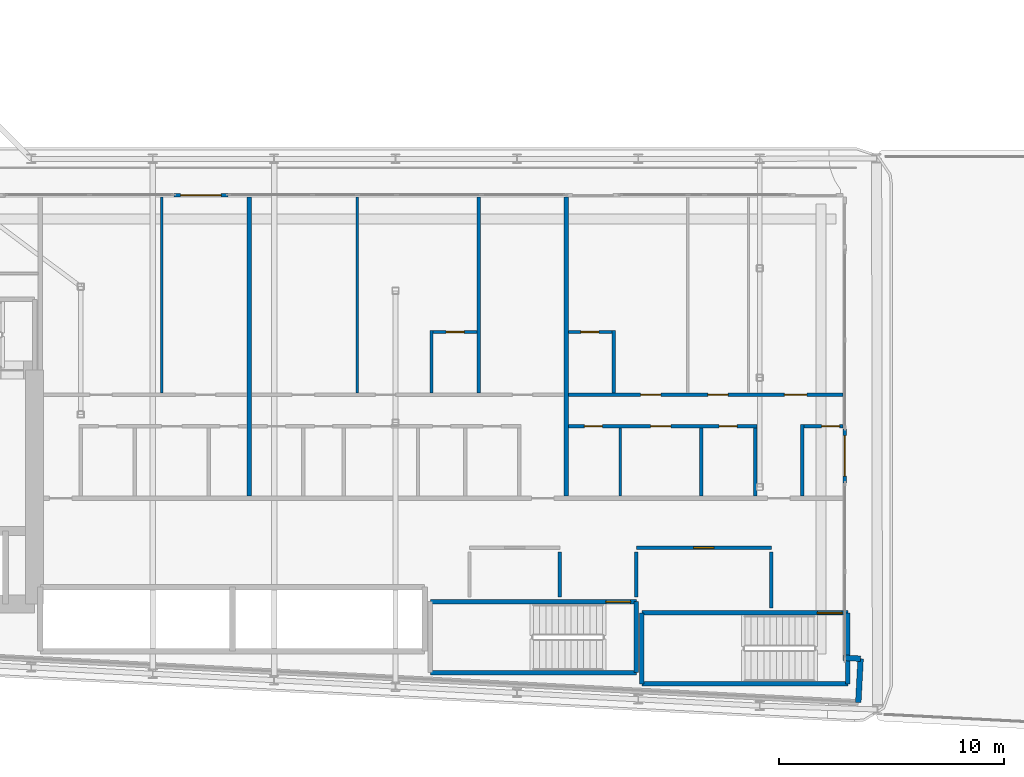
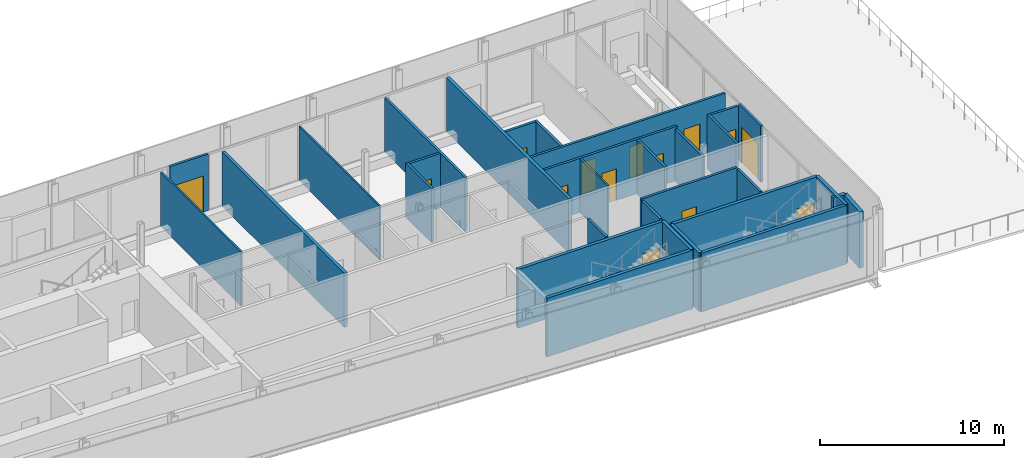
# One storey, part 15 of 27: 31 walls, 14 doors, 14 openings.
"""IFC4 building model written with IfcOpenShell, lengths in metres."""

from ifc_helpers import new_model, si_unit, direction, frame, frame_2d, origin, place, context, subcontext, project, spatial, rectangle, extrude, source, transform, mapped, material, layer, layer_set, type_object, element, fill, save


model = new_model("IFC4")

# Units and contexts
model_context = context("Model", 3, precision=1e-05, world=origin(), true_north=direction((0.0, 1.0)))
body_context = subcontext(model_context, "Body", "Model", "MODEL_VIEW")
ifc_project = project(units=[si_unit("LENGTHUNIT", "METRE"), si_unit("AREAUNIT", "SQUARE_METRE"), si_unit("VOLUMEUNIT", "CUBIC_METRE"), si_unit("PLANEANGLEUNIT", "RADIAN"), si_unit("MASSUNIT", "GRAM", prefix="KILO")], contexts=[model_context])

# Site, building, storey
site_placement = place(None, origin())
site = spatial("IfcSite", under=ifc_project, at=site_placement, CompositionType="ELEMENT")
building_placement = place(site_placement, origin())
building = spatial("IfcBuilding", under=site, at=building_placement, Name="Kheshtan School and Residences Tower", CompositionType="ELEMENT")
storey_placement = place(building_placement, frame((0.0, 0.0, 152.60009765625)))
storey = spatial("IfcBuildingStorey", under=building, at=storey_placement, Name="L35", CompositionType="ELEMENT", Elevation=152.60009765625)

# Walls
ifc_material_1 = material(Name="Concrete C40/50 with ceramic cladding and mineral wool insulation", Category="concrete")
ifc_layer_1 = layer(ifc_material_1, 0.25)
ifc_layer_set_1 = layer_set([ifc_layer_1], Name="External wall 250 ceramic clad")
wall_type_1 = type_object("IfcWallType", Name="External wall 250 ceramic clad", PredefinedType="SOLIDWALL", material=ifc_layer_set_1)
wall_1_placement = place(storey_placement, frame((89.10693359375, 23.407958984375, 0.0), z_axis=(0.0, 0.0, 1.0), x_axis=(0.998561284263, -0.053622398031, 0.0)))
element("IfcWall", 1, at=wall_1_placement, inside=storey, type_object=wall_type_1, Name="External wall L35 14", PredefinedType="SOLIDWALL", context=body_context, shape_type="SweptSolid", body=[
    extrude(rectangle(XDim=0.783203125, YDim=0.25, at=frame_2d((0.3916015625, 0.0))), origin(), (0.0, 0.0, 1.0), 3.75),
])
wall_2_placement = place(storey_placement, frame((89.888916015625, 23.365966796875, 0.0), z_axis=(0.0, 0.0, 1.0), x_axis=(-0.052841433274, -0.998602915542, 0.0)))
element("IfcWall", 2, at=wall_2_placement, inside=storey, type_object=wall_type_1, Name="External wall L35 15", PredefinedType="SOLIDWALL", context=body_context, shape_type="SweptSolid", body=[
    extrude(rectangle(XDim=1.94970703125, YDim=0.25, at=frame_2d((0.974853515625, 0.0))), origin(), (0.0, 0.0, 1.0), 3.75),
])

# Wall, opening, door
ifc_material_2 = material(Name="Aluminium frame wall with insulated infill", Category="aluminium")
ifc_layer_2 = layer(ifc_material_2, 0.14990234375)
ifc_layer_set_2 = layer_set([ifc_layer_2], Name="Glazing frame wall 150")
wall_type_2 = type_object("IfcWallType", Name="Glazing frame wall 150", PredefinedType="SOLIDWALL", material=ifc_layer_set_2)
wall_3_placement = place(storey_placement, frame((59.346923828125, 43.97509765625, 0.0), z_axis=(0.0, 0.0, 1.0), x_axis=(1.0, 0.0, 0.0)))
wall_3 = element("IfcWall", 3, at=wall_3_placement, inside=storey, type_object=wall_type_2, Name="Balcony door wall L35 12.2", PredefinedType="SOLIDWALL", context=body_context, shape_type="SweptSolid", body=[
    extrude(rectangle(XDim=2.401123046875, YDim=0.14990234375, at=frame_2d((1.20068359375, 0.0))), origin(), (0.0, 0.0, 1.0), 3.75),
])
opening_1_placement = place(wall_3_placement, frame((0.300048828125, 0.0, 0.0)))
opening_1 = element("IfcOpeningElement", 4, at=opening_1_placement, cuts=wall_3, Name="Opening BD", PredefinedType="OPENING", context=body_context, shape_type="SweptSolid", body=[
    extrude(rectangle(XDim=1.800048828125, YDim=2.39990234375, at=frame_2d((0.89990234375, 1.199951171875))), frame((0.0, 0.0849609375, 0.0), z_axis=(0.0, -1.0, 0.0), x_axis=(1.0, 0.0, 0.0)), (0.0, 0.0, 1.0), 0.169921875),
])
ifc_material_3 = material(Name="Clear low-e glass in thermally broken aluminium frame", Category="aluminium")
door_type_1 = type_object("IfcDoorType", Name="Balcony sliding door", OperationType="SLIDING_TO_LEFT", PredefinedType="DOOR", material=ifc_material_3)
shared_shape_1 = source(origin(), body_context, "Body", "SweptSolid", [
    extrude(rectangle(XDim=1.800048828125, YDim=2.39990234375, at=frame_2d((0.89990234375, 1.199951171875))), frame((0.0, 0.02490234375, 0.0), z_axis=(0.0, -1.0, 0.0), x_axis=(1.0, 0.0, 0.0)), (0.0, 0.0, 1.0), 0.050048828125),
])
door_1_placement = place(opening_1_placement, origin())
door_1 = element("IfcDoor", 5, at=door_1_placement, inside=storey, type_object=door_type_1, Name="Balcony door L35 12.2", OperationType="SLIDING_TO_LEFT", OverallHeight=2.39990234375, OverallWidth=1.800048828125, PredefinedType="DOOR", context=body_context, shape_type="MappedRepresentation", body=[
    mapped(shared_shape_1, transform((0.0, 0.0, 0.0), x_axis=(1.0, 0.0, 0.0), y_axis=(0.0, 1.0, 0.0), z_axis=(0.0, 0.0, 1.0), scale=1.0)),
])
fill(opening_1, door_1)

wall_4_placement = place(storey_placement, frame((89.175048828125, 33.591064453125, 0.0), z_axis=(0.0, 0.0, 1.0), x_axis=(0.0, -1.0, 0.0)))
wall_4 = element("IfcWall", 6, at=wall_4_placement, inside=storey, type_object=wall_type_2, Name="Balcony door wall L35 13.2", PredefinedType="SOLIDWALL", context=body_context, shape_type="SweptSolid", body=[
    extrude(rectangle(XDim=2.400146484375, YDim=0.14990234375, at=frame_2d((1.2001953125, 0.0))), origin(), (0.0, 0.0, 1.0), 3.75),
])
opening_2_placement = place(wall_4_placement, frame((0.300048828125, 0.0, 0.0)))
opening_2 = element("IfcOpeningElement", 7, at=opening_2_placement, cuts=wall_4, Name="Opening BD", PredefinedType="OPENING", context=body_context, shape_type="SweptSolid", body=[
    extrude(rectangle(XDim=1.800048828125, YDim=2.39990234375, at=frame_2d((0.89990234375, 1.199951171875))), frame((0.0, 0.0849609375, 0.0), z_axis=(0.0, -1.0, 0.0), x_axis=(1.0, 0.0, 0.0)), (0.0, 0.0, 1.0), 0.169921875),
])
door_2_placement = place(opening_2_placement, origin())
door_2 = element("IfcDoor", 8, at=door_2_placement, inside=storey, type_object=door_type_1, Name="Balcony door L35 13.2", OperationType="SLIDING_TO_LEFT", OverallHeight=2.39990234375, OverallWidth=1.800048828125, PredefinedType="DOOR", context=body_context, shape_type="MappedRepresentation", body=[
    mapped(shared_shape_1, transform((0.0, 0.0, 0.0), x_axis=(1.0, 0.0, 0.0), y_axis=(0.0, 1.0, 0.0), z_axis=(0.0, 0.0, 1.0), scale=1.0)),
])
fill(opening_2, door_2)

# Walls
ifc_material_4 = material(Name="Gypsum board on steel studs", Category="steel")
ifc_layer_3 = layer(ifc_material_4, 0.10009765625)
ifc_layer_set_3 = layer_set([ifc_layer_3], Name="Gypsum partition 100")
wall_type_3 = type_object("IfcWallType", Name="Gypsum partition 100", PredefinedType="PARTITIONING", material=ifc_layer_set_3)
for number, where, z_axis, x_axis, name in (
    (9, (58.800048828125, 35.175048828125, 0.0), (0.0, 0.0, 1.0), (0.0, 1.0, 0.0), "Partition L35-036"),
    (10, (67.5, 35.175048828125, 0.0), (0.0, 0.0, 1.0), (0.0, 1.0, 0.0), "Partition L35-043"),
):
    element("IfcWall", number, at=place(storey_placement, frame(where, z_axis=z_axis, x_axis=x_axis)), inside=storey, type_object=wall_type_3, Name=name, PredefinedType="PARTITIONING", context=body_context, shape_type="SweptSolid", body=[
        extrude(rectangle(XDim=8.724853515625, YDim=0.10009765625, at=frame_2d((4.3623046875, 0.0))), origin(), (0.0, 0.0, 1.0), 3.599853515625),
    ])
wall_5_placement = place(storey_placement, frame((79.199951171875, 30.60009765625, 0.0), z_axis=(0.0, 0.0, 1.0), x_axis=(0.0, 1.0, 0.0)))
element("IfcWall", 11, at=wall_5_placement, inside=storey, type_object=wall_type_3, Name="Partition L35-055", PredefinedType="PARTITIONING", context=body_context, shape_type="SweptSolid", body=[
    extrude(rectangle(XDim=3.02490234375, YDim=0.10009765625, at=frame_2d((1.512451171875, 0.0))), origin(), (0.0, 0.0, 1.0), 3.599853515625),
])
ifc_material_5 = material(Name="Fire-board shaft wall system")
ifc_layer_4 = layer(ifc_material_5, 0.14990234375)
ifc_layer_set_4 = layer_set([ifc_layer_4], Name="Service room wall 150")
wall_type_4 = type_object("IfcWallType", Name="Service room wall 150", PredefinedType="PARTITIONING", material=ifc_layer_set_4)
wall_6_placement = place(storey_placement, frame((76.510009765625, 26.1201171875, 0.0), z_axis=(0.0, 0.0, 1.0), x_axis=(0.0, 1.0, 0.0)))
element("IfcWall", 12, at=wall_6_placement, inside=storey, type_object=wall_type_4, Name="Service room wall", PredefinedType="PARTITIONING", context=body_context, shape_type="SweptSolid", body=[
    extrude(rectangle(XDim=1.98486328125, YDim=0.14990234375, at=frame_2d((0.992431640625, 0.0))), origin(), (0.0, 0.0, 1.0), 3.89990234375),
])

# Wall, opening, door
wall_7_placement = place(storey_placement, frame((79.909912109375, 28.300048828125, 0.0), z_axis=(0.0, 0.0, 1.0), x_axis=(1.0, 0.0, 0.0)))
wall_7 = element("IfcWall", 13, at=wall_7_placement, inside=storey, type_object=wall_type_4, Name="Service room wall", PredefinedType="PARTITIONING", context=body_context, shape_type="SweptSolid", body=[
    extrude(rectangle(XDim=6.010009765625, YDim=0.14990234375, at=frame_2d((3.0048828125, 0.0))), origin(), (0.0, 0.0, 1.0), 3.89990234375),
])
opening_3_placement = place(wall_7_placement, frame((2.554931640625, 0.0, 0.0)))
opening_3 = element("IfcOpeningElement", 14, at=opening_3_placement, cuts=wall_7, Name="Opening SR90", PredefinedType="OPENING", context=body_context, shape_type="SweptSolid", body=[
    extrude(rectangle(XDim=0.89990234375, YDim=2.199951171875, at=frame_2d((0.449951171875, 1.10009765625))), frame((0.0, 0.0849609375, 0.0), z_axis=(0.0, -1.0, 0.0), x_axis=(1.0, 0.0, 0.0)), (0.0, 0.0, 1.0), 0.169921875),
])
ifc_material_6 = material(Name="Steel door leaf, galvanised", Category="steel")
door_type_2 = type_object("IfcDoorType", Name="Service room door 900 steel 90 min", OperationType="SINGLE_SWING_LEFT", PredefinedType="DOOR", material=ifc_material_6)
shared_shape_2 = source(origin(), body_context, "Body", "SweptSolid", [
    extrude(rectangle(XDim=0.89990234375, YDim=2.199951171875, at=frame_2d((0.449951171875, 1.10009765625))), frame((0.0, 0.02490234375, 0.0), z_axis=(0.0, -1.0, 0.0), x_axis=(1.0, 0.0, 0.0)), (0.0, 0.0, 1.0), 0.050048828125),
])
door_3_placement = place(opening_3_placement, origin())
door_3 = element("IfcDoor", 15, at=door_3_placement, inside=storey, type_object=door_type_2, Name="Service room door", OperationType="SINGLE_SWING_LEFT", OverallHeight=2.199951171875, OverallWidth=0.89990234375, PredefinedType="DOOR", context=body_context, shape_type="MappedRepresentation", body=[
    mapped(shared_shape_2, transform((0.0, 0.0, 0.0), x_axis=(1.0, 0.0, 0.0), y_axis=(0.0, 1.0, 0.0), z_axis=(0.0, 0.0, 1.0), scale=1.0)),
])
fill(opening_3, door_3)

# Walls
wall_8_placement = place(storey_placement, frame((79.909912109375, 26.1201171875, 0.0), z_axis=(0.0, 0.0, 1.0), x_axis=(0.0, 1.0, 0.0)))
element("IfcWall", 16, at=wall_8_placement, inside=storey, type_object=wall_type_4, Name="Service room wall", PredefinedType="PARTITIONING", context=body_context, shape_type="SweptSolid", body=[
    extrude(rectangle(XDim=1.98486328125, YDim=0.14990234375, at=frame_2d((0.992431640625, 0.0))), origin(), (0.0, 0.0, 1.0), 3.89990234375),
])
wall_9_placement = place(storey_placement, frame((85.919921875, 25.6201171875, 0.0), z_axis=(0.0, 0.0, 1.0), x_axis=(0.0, 1.0, 0.0)))
element("IfcWall", 17, at=wall_9_placement, inside=storey, type_object=wall_type_4, Name="Service room wall", PredefinedType="PARTITIONING", context=body_context, shape_type="SweptSolid", body=[
    extrude(rectangle(XDim=2.48486328125, YDim=0.14990234375, at=frame_2d((1.242431640625, 0.0))), origin(), (0.0, 0.0, 1.0), 3.89990234375),
])
ifc_material_7 = material(Name="Concrete C40/50", Category="concrete")
ifc_layer_5 = layer(ifc_material_7, 0.199951171875)
ifc_layer_set_5 = layer_set([ifc_layer_5], Name="Stair enclosure wall 200 Concrete C40/50")
wall_type_5 = type_object("IfcWallType", Name="Stair enclosure wall 200 Concrete C40/50", PredefinedType="SHEAR", material=ifc_layer_set_5)
wall_10_placement = place(storey_placement, frame((80.159912109375, 22.25, 0.0), z_axis=(0.0, 0.0, 1.0), x_axis=(1.0, 0.0, 0.0)))
element("IfcWall", 18, at=wall_10_placement, inside=storey, type_object=wall_type_5, Name="Stair enclosure wall ST4", PredefinedType="SHEAR", context=body_context, shape_type="SweptSolid", body=[
    extrude(rectangle(XDim=9.16015625, YDim=0.199951171875, at=frame_2d((4.580078125, 0.0))), origin(), (0.0, 0.0, 1.0), 3.89990234375),
])

# Wall, opening, door
wall_11_placement = place(storey_placement, frame((80.159912109375, 25.39990234375, 0.0), z_axis=(0.0, 0.0, 1.0), x_axis=(1.0, 0.0, 0.0)))
wall_11 = element("IfcWall", 19, at=wall_11_placement, inside=storey, type_object=wall_type_5, Name="Stair enclosure wall ST4", PredefinedType="SHEAR", context=body_context, shape_type="SweptSolid", body=[
    extrude(rectangle(XDim=9.16015625, YDim=0.199951171875, at=frame_2d((4.580078125, 0.0))), origin(), (0.0, 0.0, 1.0), 3.89990234375),
])
opening_4_placement = place(wall_11_placement, frame((7.81005859375, 0.0, 0.0)))
opening_4 = element("IfcOpeningElement", 20, at=opening_4_placement, cuts=wall_11, Name="Opening ST4D", PredefinedType="OPENING", context=body_context, shape_type="SweptSolid", body=[
    extrude(rectangle(XDim=1.10009765625, YDim=2.199951171875, at=frame_2d((0.550048828125, 1.10009765625))), frame((0.0, 0.10986328125, 0.0), z_axis=(0.0, -1.0, 0.0), x_axis=(1.0, 0.0, 0.0)), (0.0, 0.0, 1.0), 0.219970703125),
])
door_type_3 = type_object("IfcDoorType", Name="Stair door 1100 steel 90 min", OperationType="SINGLE_SWING_LEFT", PredefinedType="DOOR", material=ifc_material_6)
shared_shape_3 = source(origin(), body_context, "Body", "SweptSolid", [
    extrude(rectangle(XDim=1.10009765625, YDim=2.199951171875, at=frame_2d((0.550048828125, 1.10009765625))), frame((0.0, 0.02490234375, 0.0), z_axis=(0.0, -1.0, 0.0), x_axis=(1.0, 0.0, 0.0)), (0.0, 0.0, 1.0), 0.050048828125),
])
door_4_placement = place(opening_4_placement, origin())
door_4 = element("IfcDoor", 21, at=door_4_placement, inside=storey, type_object=door_type_3, Name="Stair ST4 door", OperationType="SINGLE_SWING_LEFT", OverallHeight=2.199951171875, OverallWidth=1.10009765625, PredefinedType="DOOR", context=body_context, shape_type="MappedRepresentation", body=[
    mapped(shared_shape_3, transform((0.0, 0.0, 0.0), x_axis=(1.0, 0.0, 0.0), y_axis=(0.0, 1.0, 0.0), z_axis=(0.0, 0.0, 1.0), scale=1.0)),
])
fill(opening_4, door_4)

# Walls
for number, where, z_axis, x_axis, name in (
    (22, (80.159912109375, 22.25, 0.0), (0.0, 0.0, 1.0), (0.0, 1.0, 0.0), "Stair enclosure wall ST4"),
    (23, (89.320068359375, 22.25, 0.0), (0.0, 0.0, 1.0), (0.0, 1.0, 0.0), "Stair enclosure wall ST4"),
):
    element("IfcWall", number, at=place(storey_placement, frame(where, z_axis=z_axis, x_axis=x_axis)), inside=storey, type_object=wall_type_5, Name=name, PredefinedType="SHEAR", context=body_context, shape_type="SweptSolid", body=[
        extrude(rectangle(XDim=3.14990234375, YDim=0.199951171875, at=frame_2d((1.574951171875, 0.0))), origin(), (0.0, 0.0, 1.0), 3.89990234375),
    ])
wall_12_placement = place(storey_placement, frame((70.75, 22.75, 0.0), z_axis=(0.0, 0.0, 1.0), x_axis=(1.0, 0.0, 0.0)))
element("IfcWall", 24, at=wall_12_placement, inside=storey, type_object=wall_type_5, Name="Stair enclosure wall ST5", PredefinedType="SHEAR", context=body_context, shape_type="SweptSolid", body=[
    extrude(rectangle(XDim=9.159912109375, YDim=0.199951171875, at=frame_2d((4.580078125, 0.0))), origin(), (0.0, 0.0, 1.0), 3.89990234375),
])

# Wall, opening, door
wall_13_placement = place(storey_placement, frame((70.75, 25.89990234375, 0.0), z_axis=(0.0, 0.0, 1.0), x_axis=(1.0, 0.0, 0.0)))
wall_13 = element("IfcWall", 25, at=wall_13_placement, inside=storey, type_object=wall_type_5, Name="Stair enclosure wall ST5", PredefinedType="SHEAR", context=body_context, shape_type="SweptSolid", body=[
    extrude(rectangle(XDim=9.159912109375, YDim=0.199951171875, at=frame_2d((4.580078125, 0.0))), origin(), (0.0, 0.0, 1.0), 3.89990234375),
])
opening_5_placement = place(wall_13_placement, frame((7.81005859375, 0.0, 0.0)))
opening_5 = element("IfcOpeningElement", 26, at=opening_5_placement, cuts=wall_13, Name="Opening ST5D", PredefinedType="OPENING", context=body_context, shape_type="SweptSolid", body=[
    extrude(rectangle(XDim=1.10009765625, YDim=2.199951171875, at=frame_2d((0.550048828125, 1.10009765625))), frame((0.0, 0.10986328125, 0.0), z_axis=(0.0, -1.0, 0.0), x_axis=(1.0, 0.0, 0.0)), (0.0, 0.0, 1.0), 0.219970703125),
])
door_5_placement = place(opening_5_placement, origin())
door_5 = element("IfcDoor", 27, at=door_5_placement, inside=storey, type_object=door_type_3, Name="Stair ST5 door", OperationType="SINGLE_SWING_LEFT", OverallHeight=2.199951171875, OverallWidth=1.10009765625, PredefinedType="DOOR", context=body_context, shape_type="MappedRepresentation", body=[
    mapped(shared_shape_3, transform((0.0, 0.0, 0.0), x_axis=(1.0, 0.0, 0.0), y_axis=(0.0, 1.0, 0.0), z_axis=(0.0, 0.0, 1.0), scale=1.0)),
])
fill(opening_5, door_5)

# Walls
wall_14_placement = place(storey_placement, frame((79.909912109375, 22.75, 0.0), z_axis=(0.0, 0.0, 1.0), x_axis=(0.0, 1.0, 0.0)))
element("IfcWall", 28, at=wall_14_placement, inside=storey, type_object=wall_type_5, Name="Stair enclosure wall ST5", PredefinedType="SHEAR", context=body_context, shape_type="SweptSolid", body=[
    extrude(rectangle(XDim=3.14990234375, YDim=0.199951171875, at=frame_2d((1.574951171875, 0.0))), origin(), (0.0, 0.0, 1.0), 3.89990234375),
])
ifc_material_8 = material(Name="Twin gypsum board on steel studs with mineral wool", Category="steel")
ifc_layer_6 = layer(ifc_material_8, 0.199951171875)
ifc_layer_set_6 = layer_set([ifc_layer_6], Name="Unit demising wall 200")
wall_type_6 = type_object("IfcWallType", Name="Unit demising wall 200", PredefinedType="PARTITIONING", material=ifc_layer_set_6)
for number, where, z_axis, x_axis, name in (
    (29, (62.699951171875, 30.60009765625, 0.0), (0.0, 0.0, 1.0), (0.0, 1.0, 0.0), "Partition L35-038"),
    (30, (76.800048828125, 30.60009765625, 0.0), (0.0, 0.0, 1.0), (0.0, 1.0, 0.0), "Partition L35-050"),
):
    element("IfcWall", number, at=place(storey_placement, frame(where, z_axis=z_axis, x_axis=x_axis)), inside=storey, type_object=wall_type_6, Name=name, PredefinedType="PARTITIONING", context=body_context, shape_type="SweptSolid", body=[
        extrude(rectangle(XDim=13.2998046875, YDim=0.199951171875, at=frame_2d((6.64990234375, 0.0))), origin(), (0.0, 0.0, 1.0), 3.599853515625),
    ])
ifc_material_9 = material(Name="Moisture-resistant gypsum board on steel studs", Category="steel")
ifc_layer_7 = layer(ifc_material_9, 0.14990234375)
ifc_layer_set_7 = layer_set([ifc_layer_7], Name="Wet-room partition 150")
wall_type_7 = type_object("IfcWallType", Name="Wet-room partition 150", PredefinedType="PARTITIONING", material=ifc_layer_set_7)
wall_15_placement = place(storey_placement, frame((70.800048828125, 35.175048828125, 0.0), z_axis=(0.0, 0.0, 1.0), x_axis=(0.0, 1.0, 0.0)))
element("IfcWall", 31, at=wall_15_placement, inside=storey, type_object=wall_type_7, Name="Partition L35-045", PredefinedType="PARTITIONING", context=body_context, shape_type="SweptSolid", body=[
    extrude(rectangle(XDim=2.800048828125, YDim=0.14990234375, at=frame_2d((1.39990234375, 0.0))), origin(), (0.0, 0.0, 1.0), 3.599853515625),
])

# Wall, opening, door
wall_16_placement = place(storey_placement, frame((70.875, 37.89990234375, 0.0), z_axis=(0.0, 0.0, 1.0), x_axis=(1.0, 0.0, 0.0)))
wall_16 = element("IfcWall", 32, at=wall_16_placement, inside=storey, type_object=wall_type_7, Name="Partition L35-046", PredefinedType="PARTITIONING", context=body_context, shape_type="SweptSolid", body=[
    extrude(rectangle(XDim=1.949951171875, YDim=0.14990234375, at=frame_2d((0.97509765625, 0.0))), origin(), (0.0, 0.0, 1.0), 3.599853515625),
])
opening_6_placement = place(wall_16_placement, frame((0.574951171875, 0.0, 0.0)))
opening_6 = element("IfcOpeningElement", 33, at=opening_6_placement, cuts=wall_16, Name="Opening D35-010", PredefinedType="OPENING", context=body_context, shape_type="SweptSolid", body=[
    extrude(rectangle(XDim=0.800048828125, YDim=2.10009765625, at=frame_2d((0.39990234375, 1.050048828125))), frame((0.0, 0.0849609375, 0.0), z_axis=(0.0, -1.0, 0.0), x_axis=(1.0, 0.0, 0.0)), (0.0, 0.0, 1.0), 0.169921875),
])
ifc_material_10 = material(Name="Veneered timber door leaf", Category="wood")
door_type_4 = type_object("IfcDoorType", Name="Door 800 x 2100", OperationType="SINGLE_SWING_LEFT", PredefinedType="DOOR", material=ifc_material_10)
shared_shape_4 = source(origin(), body_context, "Body", "SweptSolid", [
    extrude(rectangle(XDim=0.800048828125, YDim=2.10009765625, at=frame_2d((0.39990234375, 1.050048828125))), frame((0.0, 0.02490234375, 0.0), z_axis=(0.0, -1.0, 0.0), x_axis=(1.0, 0.0, 0.0)), (0.0, 0.0, 1.0), 0.050048828125),
])
door_6_placement = place(opening_6_placement, origin())
door_6 = element("IfcDoor", 34, at=door_6_placement, inside=storey, type_object=door_type_4, Name="Door D35-010", OperationType="SINGLE_SWING_LEFT", OverallHeight=2.10009765625, OverallWidth=0.800048828125, PredefinedType="DOOR", context=body_context, shape_type="MappedRepresentation", body=[
    mapped(shared_shape_4, transform((0.0, 0.0, 0.0), x_axis=(1.0, 0.0, 0.0), y_axis=(0.0, 1.0, 0.0), z_axis=(0.0, 0.0, 1.0), scale=1.0)),
])
fill(opening_6, door_6)

# Wall
wall_17_placement = place(storey_placement, frame((72.89990234375, 35.175048828125, 0.0), z_axis=(0.0, 0.0, 1.0), x_axis=(0.0, 1.0, 0.0)))
element("IfcWall", 35, at=wall_17_placement, inside=storey, type_object=wall_type_7, Name="Partition L35-048", PredefinedType="PARTITIONING", context=body_context, shape_type="SweptSolid", body=[
    extrude(rectangle(XDim=8.724853515625, YDim=0.14990234375, at=frame_2d((4.3623046875, 0.0))), origin(), (0.0, 0.0, 1.0), 3.599853515625),
])

# Wall, openings, doors
wall_18_placement = place(storey_placement, frame((76.89990234375, 33.699951171875, 0.0), z_axis=(0.0, 0.0, 1.0), x_axis=(1.0, 0.0, 0.0)))
wall_18 = element("IfcWall", 36, at=wall_18_placement, inside=storey, type_object=wall_type_7, Name="Partition L35-051", PredefinedType="PARTITIONING", context=body_context, shape_type="SweptSolid", body=[
    extrude(rectangle(XDim=8.375, YDim=0.14990234375, at=frame_2d((4.1875, 0.0))), origin(), (0.0, 0.0, 1.0), 3.599853515625),
])
opening_7_placement = place(wall_18_placement, frame((6.699951171875, 0.0, 0.0)))
opening_7 = element("IfcOpeningElement", 37, at=opening_7_placement, cuts=wall_18, Name="Opening D35-017", PredefinedType="OPENING", context=body_context, shape_type="SweptSolid", body=[
    extrude(rectangle(XDim=0.800048828125, YDim=2.10009765625, at=frame_2d((0.39990234375, 1.050048828125))), frame((0.0, 0.0849609375, 0.0), z_axis=(0.0, -1.0, 0.0), x_axis=(1.0, 0.0, 0.0)), (0.0, 0.0, 1.0), 0.169921875),
])
opening_8_placement = place(wall_18_placement, frame((0.699951171875, 0.0, 0.0)))
opening_8 = element("IfcOpeningElement", 38, at=opening_8_placement, cuts=wall_18, Name="Opening D35-019", PredefinedType="OPENING", context=body_context, shape_type="SweptSolid", body=[
    extrude(rectangle(XDim=0.800048828125, YDim=2.10009765625, at=frame_2d((0.39990234375, 1.050048828125))), frame((0.0, 0.0849609375, 0.0), z_axis=(0.0, -1.0, 0.0), x_axis=(1.0, 0.0, 0.0)), (0.0, 0.0, 1.0), 0.169921875),
])
opening_9_placement = place(wall_18_placement, frame((3.64990234375, 0.0, 0.0)))
opening_9 = element("IfcOpeningElement", 39, at=opening_9_placement, cuts=wall_18, Name="Opening D35-022", PredefinedType="OPENING", context=body_context, shape_type="SweptSolid", body=[
    extrude(rectangle(XDim=0.89990234375, YDim=2.10009765625, at=frame_2d((0.449951171875, 1.050048828125))), frame((0.0, 0.0849609375, 0.0), z_axis=(0.0, -1.0, 0.0), x_axis=(1.0, 0.0, 0.0)), (0.0, 0.0, 1.0), 0.169921875),
])
door_7_placement = place(opening_7_placement, origin())
door_7 = element("IfcDoor", 40, at=door_7_placement, inside=storey, type_object=door_type_4, Name="Door D35-017", OperationType="SINGLE_SWING_RIGHT", OverallHeight=2.10009765625, OverallWidth=0.800048828125, PredefinedType="DOOR", context=body_context, shape_type="MappedRepresentation", body=[
    mapped(shared_shape_4, transform((0.0, 0.0, 0.0), x_axis=(1.0, 0.0, 0.0), y_axis=(0.0, 1.0, 0.0), z_axis=(0.0, 0.0, 1.0), scale=1.0)),
])
fill(opening_7, door_7)
door_8_placement = place(opening_8_placement, origin())
door_8 = element("IfcDoor", 41, at=door_8_placement, inside=storey, type_object=door_type_4, Name="Door D35-019", OperationType="SINGLE_SWING_RIGHT", OverallHeight=2.10009765625, OverallWidth=0.800048828125, PredefinedType="DOOR", context=body_context, shape_type="MappedRepresentation", body=[
    mapped(shared_shape_4, transform((0.0, 0.0, 0.0), x_axis=(1.0, 0.0, 0.0), y_axis=(0.0, 1.0, 0.0), z_axis=(0.0, 0.0, 1.0), scale=1.0)),
])
fill(opening_8, door_8)
door_type_5 = type_object("IfcDoorType", Name="Door 900 x 2100", OperationType="SINGLE_SWING_LEFT", PredefinedType="DOOR", material=ifc_material_10)
shared_shape_5 = source(origin(), body_context, "Body", "SweptSolid", [
    extrude(rectangle(XDim=0.89990234375, YDim=2.10009765625, at=frame_2d((0.449951171875, 1.050048828125))), frame((0.0, 0.02490234375, 0.0), z_axis=(0.0, -1.0, 0.0), x_axis=(1.0, 0.0, 0.0)), (0.0, 0.0, 1.0), 0.050048828125),
])
door_9_placement = place(opening_9_placement, origin())
door_9 = element("IfcDoor", 42, at=door_9_placement, inside=storey, type_object=door_type_5, Name="Door D35-022", OperationType="SINGLE_SWING_LEFT", OverallHeight=2.10009765625, OverallWidth=0.89990234375, PredefinedType="DOOR", context=body_context, shape_type="MappedRepresentation", body=[
    mapped(shared_shape_5, transform((0.0, 0.0, 0.0), x_axis=(1.0, 0.0, 0.0), y_axis=(0.0, 1.0, 0.0), z_axis=(0.0, 0.0, 1.0), scale=1.0)),
])
fill(opening_9, door_9)

wall_19_placement = place(storey_placement, frame((76.89990234375, 35.10009765625, 0.0), z_axis=(0.0, 0.0, 1.0), x_axis=(1.0, 0.0, 0.0)))
wall_19 = element("IfcWall", 43, at=wall_19_placement, inside=storey, type_object=wall_type_7, Name="Partition L35-052", PredefinedType="PARTITIONING", context=body_context, shape_type="SweptSolid", body=[
    extrude(rectangle(XDim=12.2001953125, YDim=0.14990234375, at=frame_2d((6.10009765625, 0.0))), origin(), (0.0, 0.0, 1.0), 3.599853515625),
])
opening_10_placement = place(wall_19_placement, frame((6.199951171875, 0.0, 0.0)))
opening_10 = element("IfcOpeningElement", 44, at=opening_10_placement, cuts=wall_19, Name="Opening D35-018", PredefinedType="OPENING", context=body_context, shape_type="SweptSolid", body=[
    extrude(rectangle(XDim=0.89990234375, YDim=2.10009765625, at=frame_2d((0.449951171875, 1.050048828125))), frame((0.0, 0.0849609375, 0.0), z_axis=(0.0, -1.0, 0.0), x_axis=(1.0, 0.0, 0.0)), (0.0, 0.0, 1.0), 0.169921875),
])
opening_11_placement = place(wall_19_placement, frame((9.60009765625, 0.0, 0.0)))
opening_11 = element("IfcOpeningElement", 45, at=opening_11_placement, cuts=wall_19, Name="Opening D35-023", PredefinedType="OPENING", context=body_context, shape_type="SweptSolid", body=[
    extrude(rectangle(XDim=1.0, YDim=2.10009765625, at=frame_2d((0.5, 1.050048828125))), frame((0.0, 0.0849609375, 0.0), z_axis=(0.0, -1.0, 0.0), x_axis=(1.0, 0.0, 0.0)), (0.0, 0.0, 1.0), 0.169921875),
])
opening_12_placement = place(wall_19_placement, frame((3.199951171875, 0.0, 0.0)))
opening_12 = element("IfcOpeningElement", 46, at=opening_12_placement, cuts=wall_19, Name="Opening D35-024", PredefinedType="OPENING", context=body_context, shape_type="SweptSolid", body=[
    extrude(rectangle(XDim=0.89990234375, YDim=2.10009765625, at=frame_2d((0.449951171875, 1.050048828125))), frame((0.0, 0.0849609375, 0.0), z_axis=(0.0, -1.0, 0.0), x_axis=(1.0, 0.0, 0.0)), (0.0, 0.0, 1.0), 0.169921875),
])
door_type_6 = type_object("IfcDoorType", Name="Door 1000 x 2100", OperationType="SINGLE_SWING_LEFT", PredefinedType="DOOR", material=ifc_material_10)
shared_shape_6 = source(origin(), body_context, "Body", "SweptSolid", [
    extrude(rectangle(XDim=1.0, YDim=2.10009765625, at=frame_2d((0.5, 1.050048828125))), frame((0.0, 0.02490234375, 0.0), z_axis=(0.0, -1.0, 0.0), x_axis=(1.0, 0.0, 0.0)), (0.0, 0.0, 1.0), 0.050048828125),
])
door_10_placement = place(opening_11_placement, origin())
door_10 = element("IfcDoor", 47, at=door_10_placement, inside=storey, type_object=door_type_6, Name="Door D35-023", OperationType="SINGLE_SWING_LEFT", OverallHeight=2.10009765625, OverallWidth=1.0, PredefinedType="DOOR", context=body_context, shape_type="MappedRepresentation", body=[
    mapped(shared_shape_6, transform((0.0, 0.0, 0.0), x_axis=(1.0, 0.0, 0.0), y_axis=(0.0, 1.0, 0.0), z_axis=(0.0, 0.0, 1.0), scale=1.0)),
])
fill(opening_11, door_10)
door_11_placement = place(opening_10_placement, origin())
door_11 = element("IfcDoor", 48, at=door_11_placement, inside=storey, type_object=door_type_5, Name="Door D35-018", OperationType="SINGLE_SWING_RIGHT", OverallHeight=2.10009765625, OverallWidth=0.89990234375, PredefinedType="DOOR", context=body_context, shape_type="MappedRepresentation", body=[
    mapped(shared_shape_5, transform((0.0, 0.0, 0.0), x_axis=(1.0, 0.0, 0.0), y_axis=(0.0, 1.0, 0.0), z_axis=(0.0, 0.0, 1.0), scale=1.0)),
])
fill(opening_10, door_11)
door_12_placement = place(opening_12_placement, origin())
door_12 = element("IfcDoor", 49, at=door_12_placement, inside=storey, type_object=door_type_5, Name="Door D35-024", OperationType="SINGLE_SWING_LEFT", OverallHeight=2.10009765625, OverallWidth=0.89990234375, PredefinedType="DOOR", context=body_context, shape_type="MappedRepresentation", body=[
    mapped(shared_shape_5, transform((0.0, 0.0, 0.0), x_axis=(1.0, 0.0, 0.0), y_axis=(0.0, 1.0, 0.0), z_axis=(0.0, 0.0, 1.0), scale=1.0)),
])
fill(opening_12, door_12)

# Wall, opening, door
wall_20_placement = place(storey_placement, frame((76.89990234375, 37.89990234375, 0.0), z_axis=(0.0, 0.0, 1.0), x_axis=(1.0, 0.0, 0.0)))
wall_20 = element("IfcWall", 50, at=wall_20_placement, inside=storey, type_object=wall_type_7, Name="Partition L35-053", PredefinedType="PARTITIONING", context=body_context, shape_type="SweptSolid", body=[
    extrude(rectangle(XDim=1.925048828125, YDim=0.14990234375, at=frame_2d((0.96240234375, 0.0))), origin(), (0.0, 0.0, 1.0), 3.599853515625),
])
opening_13_placement = place(wall_20_placement, frame((0.550048828125, 0.0, 0.0)))
opening_13 = element("IfcOpeningElement", 51, at=opening_13_placement, cuts=wall_20, Name="Opening D35-020", PredefinedType="OPENING", context=body_context, shape_type="SweptSolid", body=[
    extrude(rectangle(XDim=0.800048828125, YDim=2.10009765625, at=frame_2d((0.39990234375, 1.050048828125))), frame((0.0, 0.0849609375, 0.0), z_axis=(0.0, -1.0, 0.0), x_axis=(1.0, 0.0, 0.0)), (0.0, 0.0, 1.0), 0.169921875),
])
door_13_placement = place(opening_13_placement, origin())
door_13 = element("IfcDoor", 52, at=door_13_placement, inside=storey, type_object=door_type_4, Name="Door D35-020", OperationType="SINGLE_SWING_LEFT", OverallHeight=2.10009765625, OverallWidth=0.800048828125, PredefinedType="DOOR", context=body_context, shape_type="MappedRepresentation", body=[
    mapped(shared_shape_4, transform((0.0, 0.0, 0.0), x_axis=(1.0, 0.0, 0.0), y_axis=(0.0, 1.0, 0.0), z_axis=(0.0, 0.0, 1.0), scale=1.0)),
])
fill(opening_13, door_13)

# Walls
wall_21_placement = place(storey_placement, frame((78.89990234375, 35.175048828125, 0.0), z_axis=(0.0, 0.0, 1.0), x_axis=(0.0, 1.0, 0.0)))
element("IfcWall", 53, at=wall_21_placement, inside=storey, type_object=wall_type_7, Name="Partition L35-054", PredefinedType="PARTITIONING", context=body_context, shape_type="SweptSolid", body=[
    extrude(rectangle(XDim=2.800048828125, YDim=0.14990234375, at=frame_2d((1.39990234375, 0.0))), origin(), (0.0, 0.0, 1.0), 3.599853515625),
])
wall_22_placement = place(storey_placement, frame((82.800048828125, 30.60009765625, 0.0), z_axis=(0.0, 0.0, 1.0), x_axis=(0.0, 1.0, 0.0)))
element("IfcWall", 54, at=wall_22_placement, inside=storey, type_object=wall_type_7, Name="Partition L35-057", PredefinedType="PARTITIONING", context=body_context, shape_type="SweptSolid", body=[
    extrude(rectangle(XDim=3.02490234375, YDim=0.14990234375, at=frame_2d((1.512451171875, 0.0))), origin(), (0.0, 0.0, 1.0), 3.599853515625),
])
wall_23_placement = place(storey_placement, frame((85.199951171875, 30.60009765625, 0.0), z_axis=(0.0, 0.0, 1.0), x_axis=(0.0, 1.0, 0.0)))
element("IfcWall", 55, at=wall_23_placement, inside=storey, type_object=wall_type_7, Name="Partition L35-059", PredefinedType="PARTITIONING", context=body_context, shape_type="SweptSolid", body=[
    extrude(rectangle(XDim=3.02490234375, YDim=0.14990234375, at=frame_2d((1.512451171875, 0.0))), origin(), (0.0, 0.0, 1.0), 3.447021484375),
])
wall_24_placement = place(storey_placement, frame((87.300048828125, 30.60009765625, 0.0), z_axis=(0.0, 0.0, 1.0), x_axis=(0.0, 1.0, 0.0)))
element("IfcWall", 56, at=wall_24_placement, inside=storey, type_object=wall_type_7, Name="Partition L35-060", PredefinedType="PARTITIONING", context=body_context, shape_type="SweptSolid", body=[
    extrude(rectangle(XDim=3.1748046875, YDim=0.14990234375, at=frame_2d((1.58740234375, 0.0))), origin(), (0.0, 0.0, 1.0), 3.599853515625),
])

# Wall, opening, door
wall_25_placement = place(storey_placement, frame((87.375, 33.699951171875, 0.0), z_axis=(0.0, 0.0, 1.0), x_axis=(1.0, 0.0, 0.0)))
wall_25 = element("IfcWall", 57, at=wall_25_placement, inside=storey, type_object=wall_type_7, Name="Partition L35-061", PredefinedType="PARTITIONING", context=body_context, shape_type="SweptSolid", body=[
    extrude(rectangle(XDim=1.72509765625, YDim=0.14990234375, at=frame_2d((0.862548828125, 0.0))), origin(), (0.0, 0.0, 1.0), 3.599853515625),
])
opening_14_placement = place(wall_25_placement, frame((0.77490234375, 0.0, 0.0)))
opening_14 = element("IfcOpeningElement", 58, at=opening_14_placement, cuts=wall_25, Name="Opening D35-025", PredefinedType="OPENING", context=body_context, shape_type="SweptSolid", body=[
    extrude(rectangle(XDim=0.800048828125, YDim=2.10009765625, at=frame_2d((0.39990234375, 1.050048828125))), frame((0.0, 0.0849609375, 0.0), z_axis=(0.0, -1.0, 0.0), x_axis=(1.0, 0.0, 0.0)), (0.0, 0.0, 1.0), 0.169921875),
])
door_14_placement = place(opening_14_placement, origin())
door_14 = element("IfcDoor", 59, at=door_14_placement, inside=storey, type_object=door_type_4, Name="Door D35-025", OperationType="SINGLE_SWING_LEFT", OverallHeight=2.10009765625, OverallWidth=0.800048828125, PredefinedType="DOOR", context=body_context, shape_type="MappedRepresentation", body=[
    mapped(shared_shape_4, transform((0.0, 0.0, 0.0), x_axis=(1.0, 0.0, 0.0), y_axis=(0.0, 1.0, 0.0), z_axis=(0.0, 0.0, 1.0), scale=1.0)),
])
fill(opening_14, door_14)

save(model, "model.ifc")
